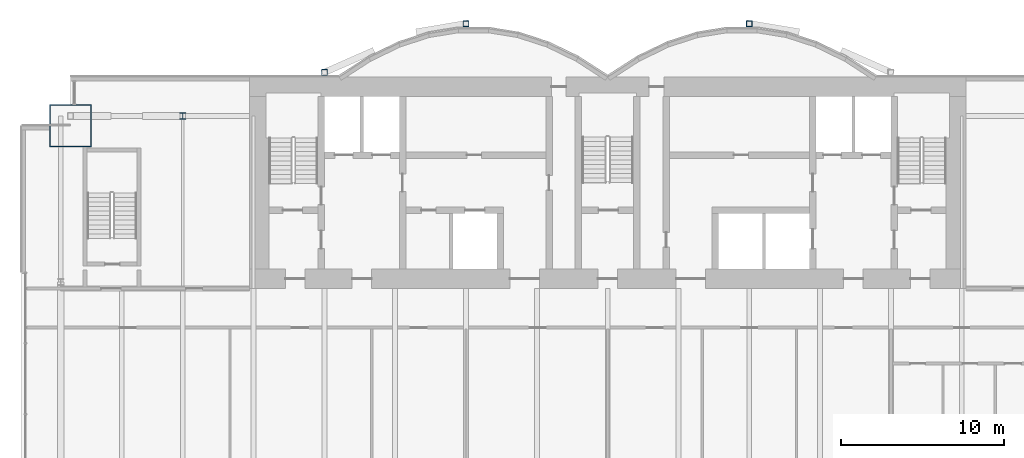
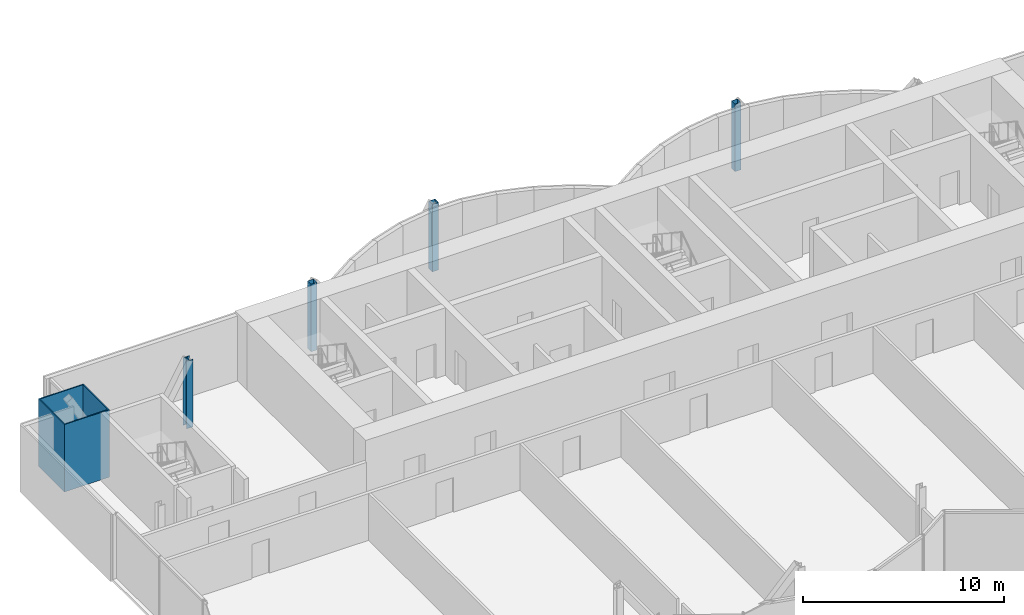
# One storey, part 3 of 20: 5 columns.
"""IFC4 building model written with IfcOpenShell, lengths in metres."""

from ifc_helpers import new_model, si_unit, direction, frame, origin, origin_2d, place, context, subcontext, project, spatial, hollow_rectangle, i_section, extrude, material, material_profile, profile_set, type_object, element, save


model = new_model("IFC4")

# Units and contexts
model_context = context("Model", 3, precision=1e-05, world=origin(), true_north=direction((0.0, 1.0)))
body_context = subcontext(model_context, "Body", "Model", "MODEL_VIEW")
ifc_project = project(units=[si_unit("LENGTHUNIT", "METRE"), si_unit("AREAUNIT", "SQUARE_METRE"), si_unit("VOLUMEUNIT", "CUBIC_METRE"), si_unit("PLANEANGLEUNIT", "RADIAN"), si_unit("MASSUNIT", "GRAM", prefix="KILO")], contexts=[model_context])

# Site, building, storey
site_placement = place(None, origin())
site = spatial("IfcSite", under=ifc_project, at=site_placement, CompositionType="ELEMENT")
building_placement = place(site_placement, origin())
building = spatial("IfcBuilding", under=site, at=building_placement, Name="Bicima Exchange Tower", CompositionType="ELEMENT")
storey_placement = place(building_placement, frame((0.0, 0.0, 199.10009765625)))
storey = spatial("IfcBuildingStorey", under=building, at=storey_placement, Name="L44", CompositionType="ELEMENT", Elevation=199.10009765625)

# Columns
ifc_material_1 = material(Name="Steel ASTM A572 Gr 50", Category="steel")
ifc_material_profile_1 = material_profile(ifc_material_1, hollow_rectangle(XDim=2.60009765625, YDim=2.60009765625, WallThickness=0.070068359375, at=origin_2d()))
ifc_profile_set_1 = profile_set([ifc_material_profile_1], Name="Steel ASTM A572 Gr 50")
column_type_1 = type_object("IfcColumnType", Name="Mega column BOX 2600x2600x70", PredefinedType="COLUMN", material=ifc_profile_set_1)
column_1_placement = place(storey_placement, frame((-33.0, -3.0, 0.0), z_axis=(0.0, 0.0, 1.0), x_axis=(1.0, 0.0, 0.0)))
element("IfcColumn", 1, at=column_1_placement, inside=storey, type_object=column_type_1, Name="Mega column mega-33.0r", PredefinedType="COLUMN", context=body_context, shape_type="SweptSolid", body=[
    extrude(hollow_rectangle(XDim=2.60009765625, YDim=2.60009765625, WallThickness=0.070068359375, at=origin_2d()), origin(), (0.0, 0.0, 1.0), 4.099853515625),
])
ifc_material_2 = material(Name="Steel ASTM A992 Gr 50", Category="steel")
ifc_material_profile_2 = material_profile(ifc_material_2, i_section(OverallWidth=0.373291015625, OverallDepth=0.373291015625, WebThickness=0.016357421875, FlangeThickness=0.026123046875, at=origin_2d()))
ifc_profile_set_2 = profile_set([ifc_material_profile_2], Name="Steel ASTM A992 Gr 50")
column_type_2 = type_object("IfcColumnType", Name="Perimeter column W14x132", PredefinedType="COLUMN", material=ifc_profile_set_2)
column_2_placement = place(storey_placement, frame((-26.10009765625, -2.39990234375, 0.0), z_axis=(0.0, 0.0, 1.0), x_axis=(1.0, 0.0, 0.0)))
element("IfcColumn", 2, at=column_2_placement, inside=storey, type_object=column_type_2, Name="Perimeter column grav-26.1r", PredefinedType="COLUMN", context=body_context, shape_type="SweptSolid", body=[
    extrude(i_section(OverallWidth=0.373291015625, OverallDepth=0.373291015625, WebThickness=0.016357421875, FlangeThickness=0.026123046875, at=origin_2d()), origin(), (0.0, 0.0, 1.0), 4.099853515625),
])
ifc_material_profile_3 = material_profile(ifc_material_1, hollow_rectangle(XDim=0.355712890625, YDim=0.355712890625, WallThickness=0.01171875, at=origin_2d()))
ifc_profile_set_3 = profile_set([ifc_material_profile_3], Name="Steel ASTM A572 Gr 50")
column_type_3 = type_object("IfcColumnType", Name="Rear pilaster HSS14x14x1/2", PredefinedType="COLUMN", material=ifc_profile_set_3)
for number, where, z_axis, x_axis, name in (
    (3, (-8.699951171875, 3.26904296875, 0.0), (0.0, 0.0, 1.0), (1.0, 0.0, 0.0), "Rear pilaster rexo-8.7r"),
    (4, (-17.39990234375, 0.278076171875, 0.0), (0.0, 0.0, 1.0), (1.0, 0.0, 0.0), "Rear pilaster rexo-17.4r"),
    (5, (8.699951171875, 3.26904296875, 0.0), (0.0, 0.0, 1.0), (1.0, 0.0, 0.0), "Rear pilaster rexo+8.7r"),
):
    element("IfcColumn", number, at=place(storey_placement, frame(where, z_axis=z_axis, x_axis=x_axis)), inside=storey, type_object=column_type_3, Name=name, PredefinedType="COLUMN", context=body_context, shape_type="SweptSolid", body=[
        extrude(hollow_rectangle(XDim=0.355712890625, YDim=0.355712890625, WallThickness=0.01171875, at=origin_2d()), origin(), (0.0, 0.0, 1.0), 4.099853515625),
    ])

save(model, "model.ifc")
